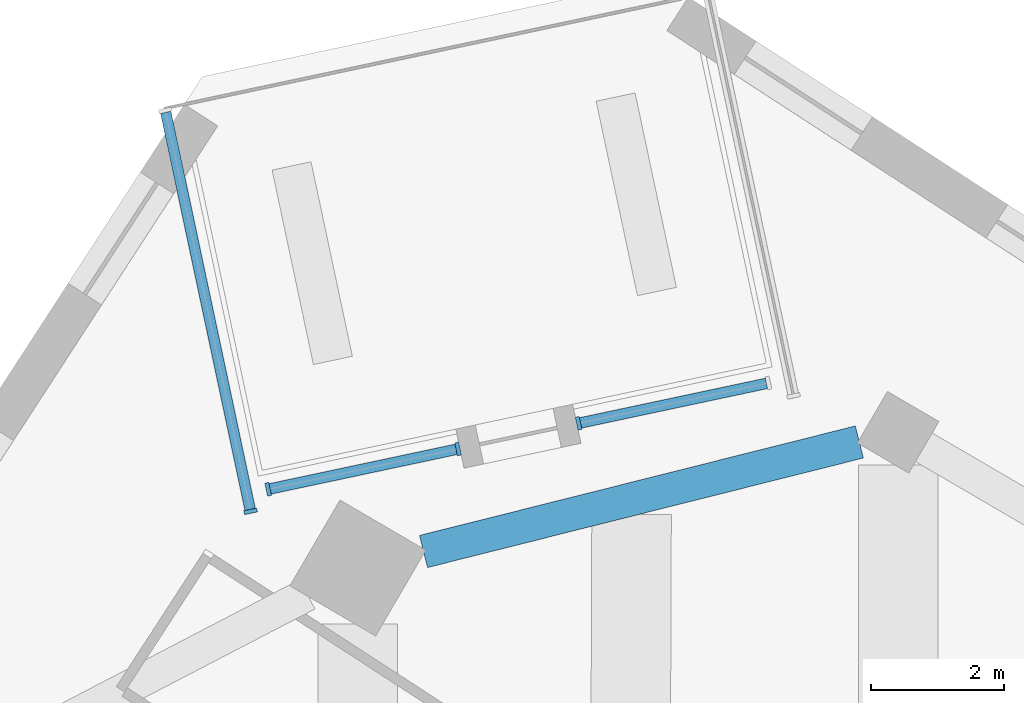
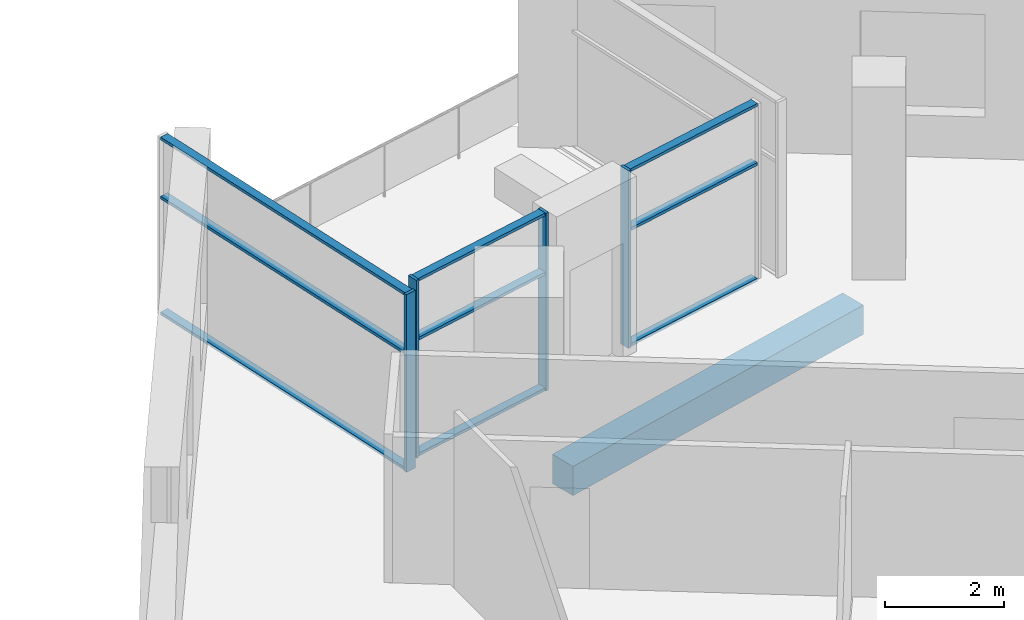
# One storey, part 2 of 12: 13 members, 1 beam, 3 elements without a shape of their own.
"""IFC4 building model written with IfcOpenShell, lengths in metres."""

from ifc_helpers import new_model, si_unit, direction, frame, origin, origin_2d, place, context, subcontext, project, spatial, rectangle, extrude, material, material_profile, profile_set, type_object, element, aggregate, save


model = new_model("IFC4")

# Units and contexts
model_context = context("Model", 3, precision=1e-05, world=origin(), true_north=direction((0.0, 1.0)))
body_context = subcontext(model_context, "Body", "Model", "MODEL_VIEW")
ifc_project = project(units=[si_unit("LENGTHUNIT", "METRE"), si_unit("AREAUNIT", "SQUARE_METRE"), si_unit("VOLUMEUNIT", "CUBIC_METRE"), si_unit("PLANEANGLEUNIT", "RADIAN"), si_unit("MASSUNIT", "GRAM", prefix="KILO")], contexts=[model_context])

# Site, building, storey
site_placement = place(None, origin())
site = spatial("IfcSite", under=ifc_project, at=site_placement, CompositionType="ELEMENT")
building_placement = place(site_placement, origin())
building = spatial("IfcBuilding", under=site, at=building_placement, Name="Dilmun Exchange Tower", CompositionType="ELEMENT")
storey_placement = place(building_placement, frame((0.0, 0.0, 254.89990234375)))
storey = spatial("IfcBuildingStorey", under=building, at=storey_placement, Name="L60", CompositionType="ELEMENT", Elevation=254.89990234375)

# Curtain wall, member
ifc_material_1 = material(Name="Anodised aluminium and clear glass", Category="aluminium")
curtain_wall_type = type_object("IfcCurtainWallType", Name="Garden corner glazing", PredefinedType="NOTDEFINED", material=ifc_material_1)
curtain_wall_1_placement = place(storey_placement, origin())
curtain_wall_1 = element("IfcCurtainWall", 1, at=curtain_wall_1_placement, inside=storey, type_object=curtain_wall_type, Name="Garden corner glazing run GC2.1", PredefinedType="NOTDEFINED")
ifc_material_2 = material(Name="Anodised aluminium", Category="aluminium")
ifc_material_profile_1 = material_profile(ifc_material_2, rectangle(XDim=0.199951171875, YDim=0.06005859375, at=origin_2d()), Name="AL 60x200")
ifc_profile_set_1 = profile_set([ifc_material_profile_1], Name="Anodised aluminium")
member_type_1 = type_object("IfcMemberType", Name="Garden corner glazing mullion 60 x 200", PredefinedType="MULLION", material=ifc_profile_set_1)
member_1_placement = place(storey_placement, frame((-0.582763671875, 28.640869140625, 0.0), z_axis=(0.0, 0.0, 1.0), x_axis=(0.207888364437, -0.978152558618, 0.0)))
member_1 = element("IfcMember", 2, at=member_1_placement, type_object=member_type_1, Name="GC2.1 mullion 2", PredefinedType="MULLION", context=body_context, shape_type="SweptSolid", body=[
    extrude(rectangle(XDim=0.199951171875, YDim=0.06005859375, at=origin_2d()), origin(), (0.0, 0.0, 1.0), 3.64013671875),
])

# Curtain wall, members
curtain_wall_2_placement = place(storey_placement, origin())
curtain_wall_2 = element("IfcCurtainWall", 3, at=curtain_wall_2_placement, inside=storey, type_object=curtain_wall_type, Name="Garden corner glazing run GC2.3", PredefinedType="NOTDEFINED")
member_2_placement = place(storey_placement, frame((-2.402099609375, 28.254150390625, 0.0), z_axis=(0.0, 0.0, 1.0), x_axis=(0.207888364437, -0.978152558618, 0.0)))
member_2 = element("IfcMember", 4, at=member_2_placement, type_object=member_type_1, Name="GC2.3 mullion 1", PredefinedType="MULLION", context=body_context, shape_type="SweptSolid", body=[
    extrude(rectangle(XDim=0.199951171875, YDim=0.06005859375, at=origin_2d()), origin(), (0.0, 0.0, 1.0), 3.64013671875),
])
member_3_placement = place(storey_placement, frame((-5.26708984375, 27.64501953125, 0.0), z_axis=(0.0, 0.0, 1.0), x_axis=(0.207888364437, -0.978152558618, 0.0)))
member_3 = element("IfcMember", 5, at=member_3_placement, type_object=member_type_1, Name="GC2.3 mullion 2", PredefinedType="MULLION", context=body_context, shape_type="SweptSolid", body=[
    extrude(rectangle(XDim=0.199951171875, YDim=0.06005859375, at=origin_2d()), origin(), (0.0, 0.0, 1.0), 3.64013671875),
])

# Curtain wall, member
curtain_wall_3_placement = place(storey_placement, origin())
curtain_wall_3 = element("IfcCurtainWall", 6, at=curtain_wall_3_placement, inside=storey, type_object=curtain_wall_type, Name="Garden corner glazing run GC3.1", PredefinedType="NOTDEFINED")
member_4_placement = place(storey_placement, frame((-5.533935546875, 27.3125, 0.0), z_axis=(0.0, 0.0, 1.0), x_axis=(-0.978147579121, -0.207911792498, 0.0)))
member_4 = element("IfcMember", 7, at=member_4_placement, type_object=member_type_1, Name="GC3.1 mullion 1", PredefinedType="MULLION", context=body_context, shape_type="SweptSolid", body=[
    extrude(rectangle(XDim=0.199951171875, YDim=0.06005859375, at=origin_2d()), origin(), (0.0, 0.0, 1.0), 3.64013671875),
])

# Member
ifc_material_profile_2 = material_profile(ifc_material_2, rectangle(XDim=0.159912109375, YDim=0.06005859375, at=origin_2d()), Name="AL 60x160")
ifc_profile_set_2 = profile_set([ifc_material_profile_2], Name="Anodised aluminium")
member_type_2 = type_object("IfcMemberType", Name="Garden corner glazing transom 60 x 160", PredefinedType="USERDEFINED", material=ifc_profile_set_2)
member_5_placement = place(storey_placement, frame((2.2529296875, 29.243408203125, 0.030029296875), z_axis=(-0.978153443968, -0.207884198662, 0.0), x_axis=(0.207884198662, -0.978153443968, 0.0)))
member_5 = element("IfcMember", 8, at=member_5_placement, type_object=member_type_2, Name="GC2.1 transom 1.1", ObjectType="TRANSOM", PredefinedType="USERDEFINED", context=body_context, shape_type="SweptSolid", body=[
    extrude(rectangle(XDim=0.159912109375, YDim=0.06005859375, at=origin_2d()), origin(), (0.0, 0.0, 1.0), 2.869140625),
])

member_6_placement = place(storey_placement, frame((2.2529296875, 29.243408203125, 2.400146484375), z_axis=(-0.978153443968, -0.207884198662, 0.0), x_axis=(0.207884198662, -0.978153443968, 0.0)))
member_6 = element("IfcMember", 9, at=member_6_placement, type_object=member_type_2, Name="GC2.1 transom 1.2", ObjectType="TRANSOM", PredefinedType="USERDEFINED", context=body_context, shape_type="SweptSolid", body=[
    extrude(rectangle(XDim=0.159912109375, YDim=0.06005859375, at=origin_2d()), origin(), (0.0, 0.0, 1.0), 2.869140625),
])

member_7_placement = place(storey_placement, frame((2.2529296875, 29.243408203125, 3.610107421875), z_axis=(-0.978153443968, -0.207884198662, 0.0), x_axis=(0.207884198662, -0.978153443968, 0.0)))
member_7 = element("IfcMember", 10, at=member_7_placement, type_object=member_type_2, Name="GC2.1 transom 1.3", ObjectType="TRANSOM", PredefinedType="USERDEFINED", context=body_context, shape_type="SweptSolid", body=[
    extrude(rectangle(XDim=0.159912109375, YDim=0.06005859375, at=origin_2d()), origin(), (0.0, 0.0, 1.0), 2.869140625),
])

aggregate(curtain_wall_1, [member_1, member_5, member_6, member_7])

member_8_placement = place(storey_placement, frame((-2.431396484375, 28.247802734375, 0.030029296875), z_axis=(-0.978153443968, -0.207884198662, 0.0), x_axis=(0.207884198662, -0.978153443968, 0.0)))
member_8 = element("IfcMember", 11, at=member_8_placement, type_object=member_type_2, Name="GC2.3 transom 1.1", ObjectType="TRANSOM", PredefinedType="USERDEFINED", context=body_context, shape_type="SweptSolid", body=[
    extrude(rectangle(XDim=0.159912109375, YDim=0.06005859375, at=origin_2d()), origin(), (0.0, 0.0, 1.0), 2.869140625),
])

member_9_placement = place(storey_placement, frame((-2.431396484375, 28.247802734375, 2.400146484375), z_axis=(-0.978153443968, -0.207884198662, 0.0), x_axis=(0.207884198662, -0.978153443968, 0.0)))
member_9 = element("IfcMember", 12, at=member_9_placement, type_object=member_type_2, Name="GC2.3 transom 1.2", ObjectType="TRANSOM", PredefinedType="USERDEFINED", context=body_context, shape_type="SweptSolid", body=[
    extrude(rectangle(XDim=0.159912109375, YDim=0.06005859375, at=origin_2d()), origin(), (0.0, 0.0, 1.0), 2.869140625),
])

member_10_placement = place(storey_placement, frame((-2.431396484375, 28.247802734375, 3.610107421875), z_axis=(-0.978153443968, -0.207884198662, 0.0), x_axis=(0.207884198662, -0.978153443968, 0.0)))
member_10 = element("IfcMember", 13, at=member_10_placement, type_object=member_type_2, Name="GC2.3 transom 1.3", ObjectType="TRANSOM", PredefinedType="USERDEFINED", context=body_context, shape_type="SweptSolid", body=[
    extrude(rectangle(XDim=0.159912109375, YDim=0.06005859375, at=origin_2d()), origin(), (0.0, 0.0, 1.0), 2.869140625),
])

aggregate(curtain_wall_2, [member_2, member_3, member_8, member_9, member_10])

member_11_placement = place(storey_placement, frame((-5.5400390625, 27.341796875, 0.030029296875), z_axis=(-0.207904034352, 0.978149228134, 0.0), x_axis=(-0.978149228134, -0.207904034352, 0.0)))
member_11 = element("IfcMember", 14, at=member_11_placement, type_object=member_type_2, Name="GC3.1 transom 1.1", ObjectType="TRANSOM", PredefinedType="USERDEFINED", context=body_context, shape_type="SweptSolid", body=[
    extrude(rectangle(XDim=0.159912109375, YDim=0.06005859375, at=origin_2d()), origin(), (0.0, 0.0, 1.0), 6.126220703125),
])

member_12_placement = place(storey_placement, frame((-5.5400390625, 27.341796875, 2.400146484375), z_axis=(-0.207904034352, 0.978149228134, 0.0), x_axis=(-0.978149228134, -0.207904034352, 0.0)))
member_12 = element("IfcMember", 15, at=member_12_placement, type_object=member_type_2, Name="GC3.1 transom 1.2", ObjectType="TRANSOM", PredefinedType="USERDEFINED", context=body_context, shape_type="SweptSolid", body=[
    extrude(rectangle(XDim=0.159912109375, YDim=0.06005859375, at=origin_2d()), origin(), (0.0, 0.0, 1.0), 6.126220703125),
])

member_13_placement = place(storey_placement, frame((-5.5400390625, 27.341796875, 3.610107421875), z_axis=(-0.207904034352, 0.978149228134, 0.0), x_axis=(-0.978149228134, -0.207904034352, 0.0)))
member_13 = element("IfcMember", 16, at=member_13_placement, type_object=member_type_2, Name="GC3.1 transom 1.3", ObjectType="TRANSOM", PredefinedType="USERDEFINED", context=body_context, shape_type="SweptSolid", body=[
    extrude(rectangle(XDim=0.159912109375, YDim=0.06005859375, at=origin_2d()), origin(), (0.0, 0.0, 1.0), 6.126220703125),
])

aggregate(curtain_wall_3, [member_4, member_11, member_12, member_13])

# Beam
ifc_material_3 = material(Name="Concrete C40/50", Category="concrete")
ifc_material_profile_3 = material_profile(ifc_material_3, rectangle(XDim=0.5, YDim=0.60009765625, at=origin_2d()), Name="500 x 600")
ifc_profile_set_3 = profile_set([ifc_material_profile_3], Name="Concrete C40/50")
beam_type = type_object("IfcBeamType", Name="RC ring beam 500 x 600 C40/50", PredefinedType="SPANDREL", material=ifc_profile_set_3)
beam_placement = place(storey_placement, frame((3.6552734375, 28.359130859375, -0.659912109375), z_axis=(-0.969853854997, -0.243687299522, 0.0), x_axis=(0.243687299522, -0.969853854997, 0.0)))
element("IfcBeam", 17, at=beam_placement, inside=storey, type_object=beam_type, Name="Ring beam 16", PredefinedType="SPANDREL", context=body_context, shape_type="SweptSolid", body=[
    extrude(rectangle(XDim=0.5, YDim=0.60009765625, at=origin_2d()), origin(), (0.0, 0.0, 1.0), 6.78271484375),
])

save(model, "model.ifc")
